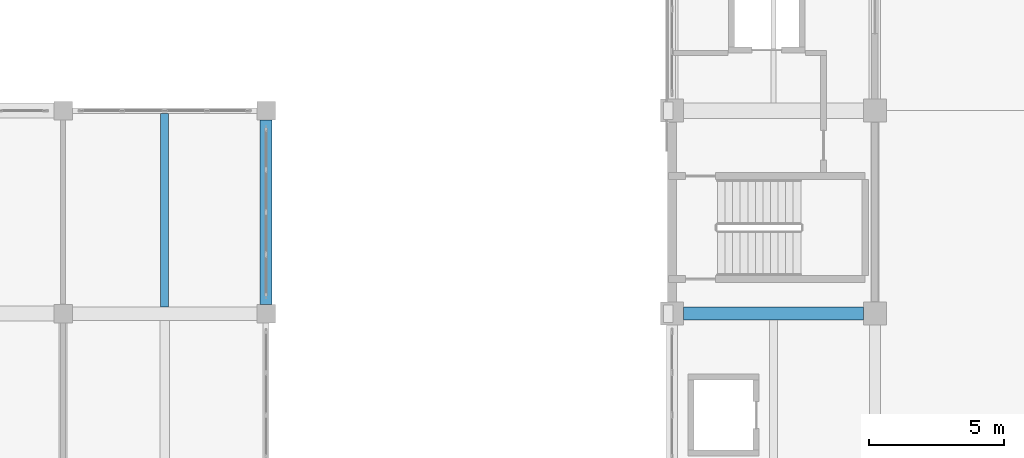
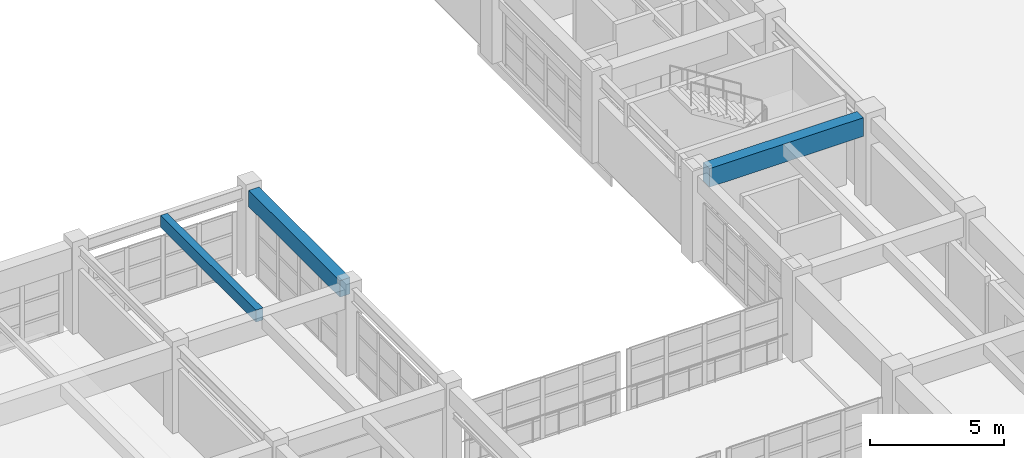
# One storey, part 26 of 132: 3 beams.
"""IFC4 building model written with IfcOpenShell, lengths in metres."""

from ifc_helpers import new_model, si_unit, direction, frame, origin, origin_2d, place, context, subcontext, project, spatial, rectangle, extrude, material, material_profile, profile_set, type_object, element, save


model = new_model("IFC4")

# Units and contexts
model_context = context("Model", 3, precision=1e-05, world=origin(), true_north=direction((0.0, 1.0)))
body_context = subcontext(model_context, "Body", "Model", "MODEL_VIEW")
ifc_project = project(units=[si_unit("LENGTHUNIT", "METRE"), si_unit("AREAUNIT", "SQUARE_METRE"), si_unit("VOLUMEUNIT", "CUBIC_METRE"), si_unit("PLANEANGLEUNIT", "RADIAN"), si_unit("MASSUNIT", "GRAM", prefix="KILO")], contexts=[model_context])

# Site, building, storey
site_placement = place(None, origin())
site = spatial("IfcSite", under=ifc_project, at=site_placement, CompositionType="ELEMENT")
building_placement = place(site_placement, origin())
building = spatial("IfcBuilding", under=site, at=building_placement, Name="Qasida Concert Hall", CompositionType="ELEMENT")
storey_placement = place(building_placement, frame((0.0, 0.0, 4.800048828125)))
storey = spatial("IfcBuildingStorey", under=building, at=storey_placement, Name="L01", CompositionType="ELEMENT", Elevation=4.800048828125)

# Beams
ifc_material = material(Name="Concrete C40/50", Category="concrete")
ifc_material_profile_1 = material_profile(ifc_material, rectangle(XDim=0.47998046875, YDim=0.85009765625, at=origin_2d()), Name="RC 480x850")
ifc_profile_set_1 = profile_set([ifc_material_profile_1], Name="Concrete C40/50")
beam_type_1 = type_object("IfcBeamType", Name="BM-G6", PredefinedType="USERDEFINED", material=ifc_profile_set_1)
beam_1_placement = place(storey_placement, frame((52.925048828125, 45.0, 3.494873046875), z_axis=(1.0, 0.0, 0.0), x_axis=(0.0, 1.0, 0.0)))
element("IfcBeam", 1, at=beam_1_placement, inside=storey, type_object=beam_type_1, Name="Primary girder 0776", ObjectType="GIRDER", PredefinedType="USERDEFINED", context=body_context, shape_type="SweptSolid", body=[
    extrude(rectangle(XDim=0.47998046875, YDim=0.85009765625, at=origin_2d()), origin(), (0.0, 0.0, 1.0), 6.64990234375),
])
ifc_material_profile_2 = material_profile(ifc_material, rectangle(XDim=0.300048828125, YDim=0.550048828125, at=origin_2d()), Name="RC 300x550")
ifc_profile_set_2 = profile_set([ifc_material_profile_2], Name="Concrete C40/50")
beam_type_2 = type_object("IfcBeamType", Name="BM-J1", PredefinedType="JOIST", material=ifc_profile_set_2)
beam_2_placement = place(storey_placement, frame((33.75, 45.25, 3.64501953125), z_axis=(0.0, 1.0, 0.0), x_axis=(-1.0, 0.0, 0.0)))
element("IfcBeam", 2, at=beam_2_placement, inside=storey, type_object=beam_type_2, Name="L01 secondary joist 0976", PredefinedType="JOIST", context=body_context, shape_type="SweptSolid", body=[
    extrude(rectangle(XDim=0.300048828125, YDim=0.550048828125, at=origin_2d()), origin(), (0.0, 0.0, 1.0), 7.14501953125),
])
ifc_material_profile_3 = material_profile(ifc_material, rectangle(XDim=0.449951171875, YDim=0.75, at=origin_2d()), Name="RC 450x750")
ifc_profile_set_3 = profile_set([ifc_material_profile_3], Name="Concrete C40/50")
beam_type_3 = type_object("IfcBeamType", Name="BM-SP4", PredefinedType="SPANDREL", material=ifc_profile_set_3)
beam_3_placement = place(storey_placement, frame((37.5, 45.340087890625, 3.544921875), z_axis=(0.0, 1.0, 0.0), x_axis=(-1.0, 0.0, 0.0)))
element("IfcBeam", 3, at=beam_3_placement, inside=storey, type_object=beam_type_3, Name="L01 girder 0947", PredefinedType="SPANDREL", context=body_context, shape_type="SweptSolid", body=[
    extrude(rectangle(XDim=0.449951171875, YDim=0.75, at=origin_2d()), origin(), (0.0, 0.0, 1.0), 6.81982421875),
])

save(model, "model.ifc")
